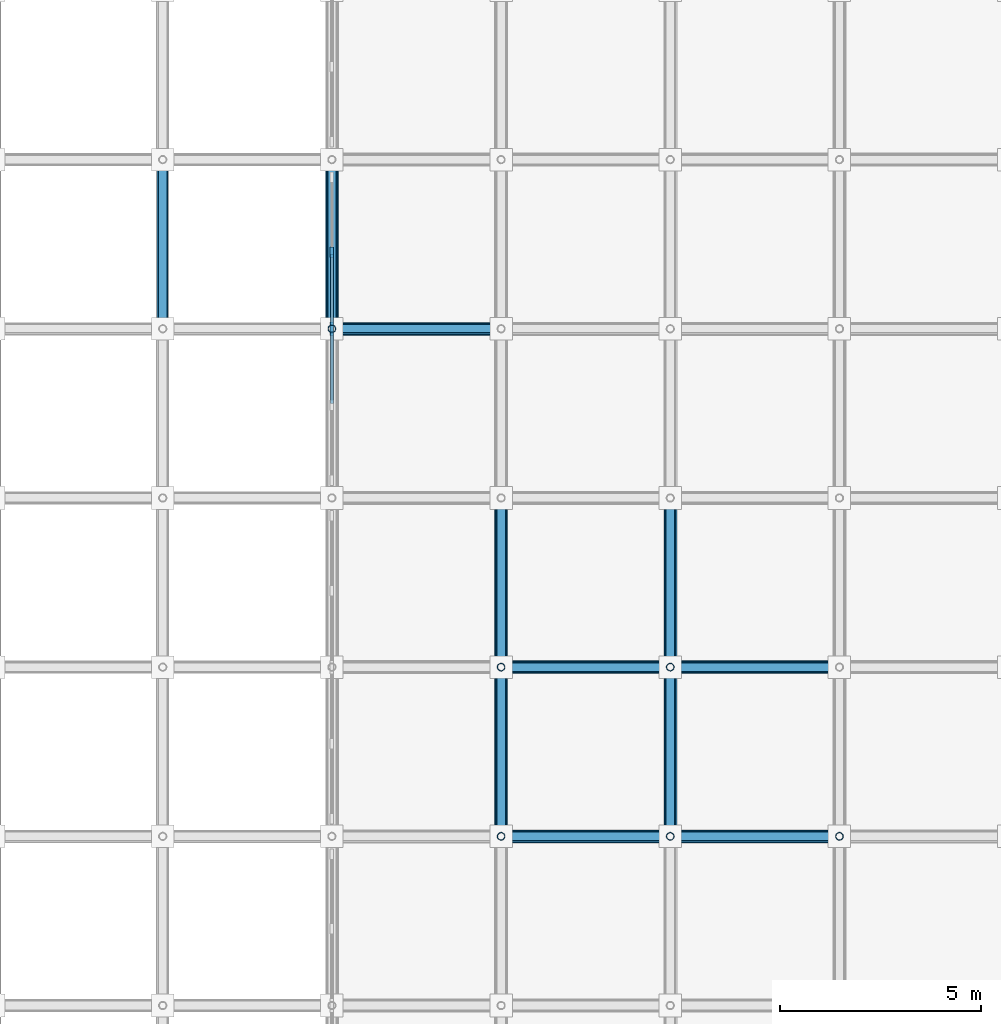
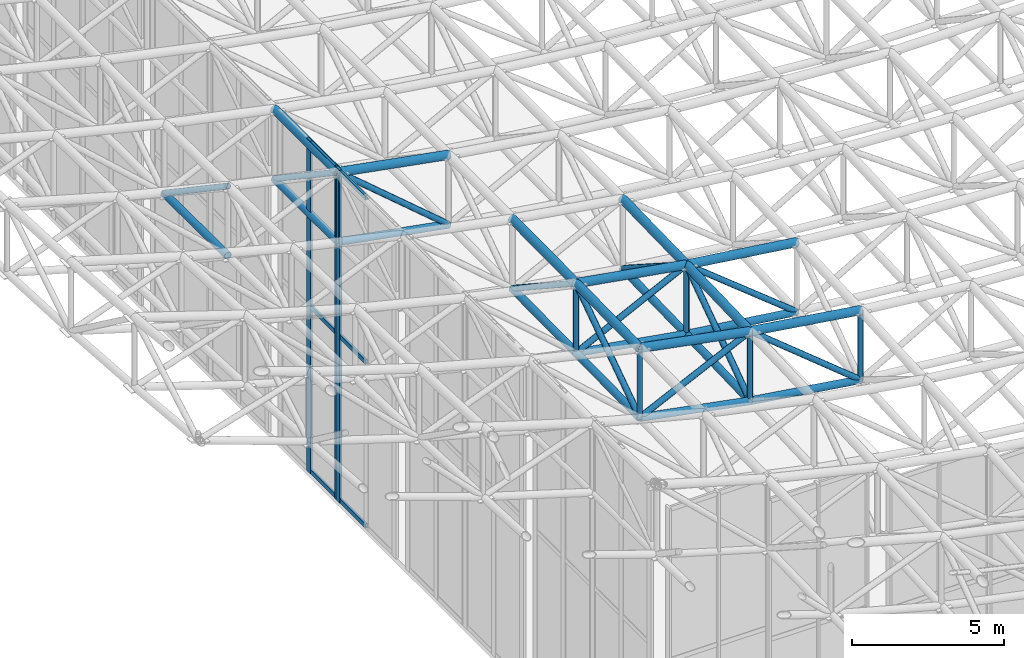
# One storey, part 10 of 93: 47 members, 2 elements without a shape of their own.
"""IFC4 building model written with IfcOpenShell, lengths in metres."""

import ifcopenshell
import ifcopenshell.guid

model = None  # the IFC model being written
_history = None  # IfcOwnerHistory: only IFC2X3 demands one
_inside = {}  # id of a spatial element -> (the spatial element, [elements in it])
_under = {}  # id of a project, library or spatial element -> (it, [spatial elements below it])
_declared = {}  # id of a project -> (the project, [libraries it declares])
_typed = {}  # id of a type object -> (the type object, [elements of that type])
_made_of = {}  # id of a material, layer set ... -> (it, [elements and type objects made of it])


def new_model(schema):
    """Start an empty IFC model of exactly this schema.

    Asked for "IFC4X3", IfcOpenShell would pick the latest addendum, in which some entities
    have other attributes; the version numbers below select the first issue.
    IFC2X3 requires an IfcOwnerHistory on every rooted entity: one is made here for all.
    """
    global model, _history
    if schema == "IFC4X3":
        model = ifcopenshell.file(schema_version=(4, 3, 0, 0))
    else:
        model = ifcopenshell.file(schema=schema)
    _inside.clear()
    _under.clear()
    _declared.clear()
    _typed.clear()
    _made_of.clear()
    _history = None
    if model.schema == "IFC2X3":
        org = make("IfcOrganization", Name="unknown")
        user = make(
            "IfcPersonAndOrganization",
            ThePerson=make("IfcPerson", FamilyName="unknown"),
            TheOrganization=org,
        )
        app = make(
            "IfcApplication",
            ApplicationDeveloper=org,
            Version="unknown",
            ApplicationFullName="unknown",
            ApplicationIdentifier="unknown",
        )
        _history = make(
            "IfcOwnerHistory",
            OwningUser=user,
            OwningApplication=app,
            ChangeAction="ADDED",
            CreationDate=0,
        )
    return model


def make(cls, **values):
    """One entity of the class cls with the attributes given. An attribute that is None is left unset."""
    return model.create_entity(
        cls, **{name: value for name, value in values.items() if value is not None}
    )


def rooted(cls, **values):
    """An entity with a GlobalId (a new one), such as an element, a storey or a relation."""
    return make(cls, GlobalId=ifcopenshell.guid.new(), OwnerHistory=_history, **values)


def si_unit(unit_type, name, prefix=None):
    """IfcSIUnit, for example si_unit("LENGTHUNIT", "METRE", prefix="MILLI")."""
    return make("IfcSIUnit", UnitType=unit_type, Prefix=prefix, Name=name)


def assignment(units):
    """IfcUnitAssignment: the units of a project."""
    return None if units is None else make("IfcUnitAssignment", Units=units)


def point(xyz):
    """IfcCartesianPoint."""
    return None if xyz is None else make("IfcCartesianPoint", Coordinates=xyz)


def direction(xyz):
    """IfcDirection."""
    return None if xyz is None else make("IfcDirection", DirectionRatios=xyz)


def frame(location, z_axis=None, x_axis=None):
    """IfcAxis2Placement3D, a coordinate frame: its origin and axes. An axis left out is left unset."""
    return make(
        "IfcAxis2Placement3D",
        Location=point(location),
        Axis=direction(z_axis),
        RefDirection=direction(x_axis),
    )


def frame_2d(location, x_axis=None):
    """IfcAxis2Placement2D, a coordinate frame in the plane: its origin and x axis."""
    return make(
        "IfcAxis2Placement2D", Location=point(location), RefDirection=direction(x_axis)
    )


def origin():
    """The frame at (0, 0, 0) with its axes left unset."""
    return frame((0.0, 0.0, 0.0))


def origin_2d():
    """The frame at (0, 0) in the plane with its x axis left unset."""
    return frame_2d((0.0, 0.0))


def place(relative_to, where):
    """IfcLocalPlacement: puts the frame where relative to a parent placement (None: the world)."""
    return make(
        "IfcLocalPlacement", PlacementRelTo=relative_to, RelativePlacement=where
    )


def context(
    kind, dimensions, precision=None, world=None, true_north=None, identifier=None
):
    """IfcGeometricRepresentationContext, for example the 3D "Model" context."""
    return make(
        "IfcGeometricRepresentationContext",
        ContextIdentifier=identifier,
        ContextType=kind,
        CoordinateSpaceDimension=dimensions,
        Precision=precision,
        WorldCoordinateSystem=world,
        TrueNorth=true_north,
    )


def subcontext(parent, identifier, kind, view, scale=None):
    """IfcGeometricRepresentationSubContext, for example "Body" below "Model"."""
    return make(
        "IfcGeometricRepresentationSubContext",
        ContextIdentifier=identifier,
        ContextType=kind,
        ParentContext=parent,
        TargetScale=scale,
        TargetView=view,
    )


def project(units=None, contexts=None):
    """IfcProject with its units and contexts."""
    return rooted(
        "IfcProject",
        Name="project",
        RepresentationContexts=contexts,
        UnitsInContext=assignment(units),
    )


def spatial(cls, under=None, at=None, **own):
    """A site, building, storey or space (cls), placed at a placement, below another one or the project."""
    s = rooted(cls, ObjectPlacement=at, **own)
    if under is not None:
        _under.setdefault(under.id(), (under, []))[1].append(s)
    return s


def profile(cls, at=None, kind="AREA", **sizes):
    """A parametric profile (cls). Its sizes go by their IFC names, for example OverallWidth=200.0."""
    return make(cls, ProfileType=kind, Position=at, **sizes)


def rectangle(**sizes):
    """IfcRectangleProfileDef."""
    return profile("IfcRectangleProfileDef", **sizes)


def hollow_circle(**sizes):
    """IfcCircleHollowProfileDef."""
    return profile("IfcCircleHollowProfileDef", **sizes)


def extrude(swept, where, along, depth):
    """IfcExtrudedAreaSolid: the profile swept, set in the frame where, extruded along a direction by depth."""
    return make(
        "IfcExtrudedAreaSolid",
        SweptArea=swept,
        Position=where,
        ExtrudedDirection=direction(along),
        Depth=depth,
    )


def shape(context_of_items, identifier, shape_type, items):
    """IfcShapeRepresentation: the items that make up one representation, for example the "Body"."""
    return make(
        "IfcShapeRepresentation",
        ContextOfItems=context_of_items,
        RepresentationIdentifier=identifier,
        RepresentationType=shape_type,
        Items=items,
    )


def material(Name=None, Category=None):
    """IfcMaterial."""
    return make("IfcMaterial", Name=Name, Category=Category)


def material_profile(
    of_material, cross_section, Name=None, Category=None, Priority=None
):
    """IfcMaterialProfile: a cross section and its material."""
    return make(
        "IfcMaterialProfile",
        Name=Name,
        Material=of_material,
        Profile=cross_section,
        Priority=Priority,
        Category=Category,
    )


def profile_set(profiles, Name=None, composite=None):
    """IfcMaterialProfileSet."""
    return make(
        "IfcMaterialProfileSet",
        Name=Name,
        MaterialProfiles=profiles,
        CompositeProfile=composite,
    )


def made_of(thing, what):
    """Note that an element or type object is made of a material, layer set ...; save() writes the relation."""
    if what is not None:
        _made_of.setdefault(what.id(), (what, []))[1].append(thing)
    return thing


def type_object(cls, material=None, **own):
    """A type object (cls), such as IfcWallType, which elements share."""
    return made_of(rooted(cls, **own), material)


def element(
    cls,
    number,
    at=None,
    inside=None,
    cuts=None,
    type_object=None,
    material=None,
    context=None,
    identifier="Body",
    shape_type=None,
    held_by="IfcProductDefinitionShape",
    body=None,
    shapes=None,
    **own,
):
    """One element of the class cls, such as IfcWall. Its Tag is "e" and its number.

    at: its placement. inside: the storey or other place that contains it. cuts: it is an
    opening in that element (IfcRelVoidsElement). A single representation is given by context,
    identifier, shape_type and body (its items); several are given by shapes. held_by: the class
    of the entity that holds the representations. save() writes the other relations.
    """
    e = rooted(cls, Tag="e%d" % number, ObjectPlacement=at, **own)
    if body is not None:
        shapes = [shape(context, identifier, shape_type, body)]
    if shapes is not None:
        e.Representation = make(held_by, Representations=shapes)
    if inside is not None:
        _inside.setdefault(inside.id(), (inside, []))[1].append(e)
    if cuts is not None:
        rooted(
            "IfcRelVoidsElement", RelatingBuildingElement=cuts, RelatedOpeningElement=e
        )
    if type_object is not None:
        _typed.setdefault(type_object.id(), (type_object, []))[1].append(e)
    return made_of(e, material)


def aggregate(whole, parts):
    """IfcRelAggregates: a whole, such as a stair, and the parts it consists of."""
    return rooted("IfcRelAggregates", RelatingObject=whole, RelatedObjects=parts)


def save(model, path):
    """Write the relations noted so far, then the file.

    IfcRelAggregates (storeys below a building ...), IfcRelContainedInSpatialStructure (elements
    in a storey), IfcRelDefinesByType, IfcRelAssociatesMaterial and IfcRelDeclares: one each for
    every whole, place, type object, material and project.
    """
    for whole, parts in _under.values():
        aggregate(whole, parts)
    for where, things in _inside.values():
        rooted(
            "IfcRelContainedInSpatialStructure",
            RelatedElements=things,
            RelatingStructure=where,
        )
    for kind, things in _typed.values():
        rooted("IfcRelDefinesByType", RelatedObjects=things, RelatingType=kind)
    for what, things in _made_of.values():
        rooted("IfcRelAssociatesMaterial", RelatedObjects=things, RelatingMaterial=what)
    for by, libraries in _declared.values():
        rooted("IfcRelDeclares", RelatingContext=by, RelatedDefinitions=libraries)
    model.write(path)


model = new_model("IFC4")

# Units and contexts
model_context = context("Model", 3, precision=1e-05, world=origin(), true_north=direction((0.0, 1.0)))
body_context = subcontext(model_context, "Body", "Model", "MODEL_VIEW")
ifc_project = project(units=[si_unit("LENGTHUNIT", "METRE"), si_unit("AREAUNIT", "SQUARE_METRE"), si_unit("VOLUMEUNIT", "CUBIC_METRE"), si_unit("PLANEANGLEUNIT", "RADIAN"), si_unit("MASSUNIT", "GRAM", prefix="KILO")], contexts=[model_context])

# Site, building, storey
site_placement = place(None, origin())
site = spatial("IfcSite", under=ifc_project, at=site_placement, CompositionType="ELEMENT")
building_placement = place(site_placement, origin())
building = spatial("IfcBuilding", under=site, at=building_placement, Name="Cumbredor Promenade Congress Hotel", CompositionType="ELEMENT")
storey_placement = place(building_placement, frame((0.0, 0.0, 21.840087890625)))
storey = spatial("IfcBuildingStorey", under=building, at=storey_placement, Name="L06", CompositionType="ELEMENT", Elevation=21.840087890625)

# Curtain wall, member
ifc_material_1 = material(Name="Thermally broken anodized aluminium and low-E glass", Category="aluminium")
curtain_wall_type = type_object("IfcCurtainWallType", Name="Stepped Pavilion Clerestory Curtain Wall CW-06", PredefinedType="NOTDEFINED", material=ifc_material_1)
curtain_wall_1_placement = place(storey_placement, origin())
curtain_wall_1 = element("IfcCurtainWall", 1, at=curtain_wall_1_placement, inside=storey, type_object=curtain_wall_type, Name="Plenary Congress Hall W Glazed Clerestory 5", PredefinedType="NOTDEFINED")
ifc_material_2 = material(Name="Thermally broken anodized aluminium", Category="aluminium")
ifc_material_profile_1 = material_profile(ifc_material_2, rectangle(XDim=0.0849609375, YDim=0.260009765625, at=origin_2d()), Name="ALU MULLION CLERESTORY 85x260")
ifc_profile_set_1 = profile_set([ifc_material_profile_1], Name="Thermally broken anodized aluminium")
member_type_1 = type_object("IfcMemberType", Name="Curtain Wall Mullion ML-04", PredefinedType="MULLION", material=ifc_profile_set_1)
member_1_placement = place(storey_placement, frame((8.39990234375, 29.360107421875, -0.01806640625), z_axis=(0.0, 0.0, 1.0), x_axis=(1.0, 0.0, 0.0)))
member_1 = element("IfcMember", 2, at=member_1_placement, type_object=member_type_1, Name="Plenary Congress Hall W Glazed Clerestory 5 Mullion 3", PredefinedType="MULLION", context=body_context, shape_type="SweptSolid", body=[
    extrude(rectangle(XDim=0.0849609375, YDim=0.260009765625, at=origin_2d()), origin(), (0.0, 0.0, 1.0), 13.3935546875),
])

# Curtain wall, members
curtain_wall_2_placement = place(storey_placement, origin())
curtain_wall_2 = element("IfcCurtainWall", 3, at=curtain_wall_2_placement, inside=storey, type_object=curtain_wall_type, Name="Plenary Congress Hall W Glazed Clerestory 6", PredefinedType="NOTDEFINED")
member_2_placement = place(storey_placement, frame((8.39990234375, 29.43994140625, -0.01806640625), z_axis=(0.0, 0.0, 1.0), x_axis=(1.0, 0.0, 0.0)))
member_2 = element("IfcMember", 4, at=member_2_placement, type_object=member_type_1, Name="Plenary Congress Hall W Glazed Clerestory 6 Mullion 1", PredefinedType="MULLION", context=body_context, shape_type="SweptSolid", body=[
    extrude(rectangle(XDim=0.0849609375, YDim=0.260009765625, at=origin_2d()), origin(), (0.0, 0.0, 1.0), 13.3857421875),
])
member_3_placement = place(storey_placement, frame((8.39990234375, 31.300048828125, -0.01806640625), z_axis=(0.0, 0.0, 1.0), x_axis=(1.0, 0.0, 0.0)))
member_3 = element("IfcMember", 5, at=member_3_placement, type_object=member_type_1, Name="Plenary Congress Hall W Glazed Clerestory 6 Mullion 2", PredefinedType="MULLION", context=body_context, shape_type="SweptSolid", body=[
    extrude(rectangle(XDim=0.0849609375, YDim=0.260009765625, at=origin_2d()), origin(), (0.0, 0.0, 1.0), 13.3857421875),
])

# Member
ifc_material_profile_2 = material_profile(ifc_material_2, rectangle(XDim=0.080078125, YDim=0.179931640625, at=origin_2d()), Name="ALU TRANSOM 80x180")
ifc_profile_set_2 = profile_set([ifc_material_profile_2], Name="Thermally broken anodized aluminium")
member_type_2 = type_object("IfcMemberType", Name="Curtain Wall Transom TR-03", PredefinedType="USERDEFINED", material=ifc_profile_set_2)
member_4_placement = place(storey_placement, frame((8.39990234375, 27.54248046875, 0.079833984375), z_axis=(0.0, 1.0, 0.0), x_axis=(-1.0, 0.0, 0.0)))
member_4 = element("IfcMember", 6, at=member_4_placement, type_object=member_type_2, Name="Plenary Congress Hall W Glazed Clerestory 5 Transom 2.1", ObjectType="TRANSOM", PredefinedType="USERDEFINED", context=body_context, shape_type="SweptSolid", body=[
    extrude(rectangle(XDim=0.080078125, YDim=0.179931640625, at=origin_2d()), origin(), (0.0, 0.0, 1.0), 1.77490234375),
])

member_5_placement = place(storey_placement, frame((8.39990234375, 27.54248046875, 6.679931640625), z_axis=(0.0, 1.0, 0.0), x_axis=(-1.0, 0.0, 0.0)))
member_5 = element("IfcMember", 7, at=member_5_placement, type_object=member_type_2, Name="Plenary Congress Hall W Glazed Clerestory 5 Transom 2.2", ObjectType="TRANSOM", PredefinedType="USERDEFINED", context=body_context, shape_type="SweptSolid", body=[
    extrude(rectangle(XDim=0.080078125, YDim=0.179931640625, at=origin_2d()), origin(), (0.0, 0.0, 1.0), 1.77490234375),
])

member_6_placement = place(storey_placement, frame((8.39990234375, 27.54248046875, 13.280029296875), z_axis=(0.0, 1.0, 0.0), x_axis=(-1.0, 0.0, 0.0)))
member_6 = element("IfcMember", 8, at=member_6_placement, type_object=member_type_2, Name="Plenary Congress Hall W Glazed Clerestory 5 Transom 2.3", ObjectType="TRANSOM", PredefinedType="USERDEFINED", context=body_context, shape_type="SweptSolid", body=[
    extrude(rectangle(XDim=0.080078125, YDim=0.179931640625, at=origin_2d()), origin(), (0.0, 0.0, 1.0), 1.77490234375),
])

aggregate(curtain_wall_1, [member_1, member_4, member_5, member_6])

member_7_placement = place(storey_placement, frame((8.39990234375, 29.482421875, 0.079833984375), z_axis=(0.0, 1.0, 0.0), x_axis=(-1.0, 0.0, 0.0)))
member_7 = element("IfcMember", 9, at=member_7_placement, type_object=member_type_2, Name="Plenary Congress Hall W Glazed Clerestory 6 Transom 1.1", ObjectType="TRANSOM", PredefinedType="USERDEFINED", context=body_context, shape_type="SweptSolid", body=[
    extrude(rectangle(XDim=0.080078125, YDim=0.179931640625, at=origin_2d()), origin(), (0.0, 0.0, 1.0), 1.775146484375),
])

member_8_placement = place(storey_placement, frame((8.39990234375, 29.482421875, 6.679931640625), z_axis=(0.0, 1.0, 0.0), x_axis=(-1.0, 0.0, 0.0)))
member_8 = element("IfcMember", 10, at=member_8_placement, type_object=member_type_2, Name="Plenary Congress Hall W Glazed Clerestory 6 Transom 1.2", ObjectType="TRANSOM", PredefinedType="USERDEFINED", context=body_context, shape_type="SweptSolid", body=[
    extrude(rectangle(XDim=0.080078125, YDim=0.179931640625, at=origin_2d()), origin(), (0.0, 0.0, 1.0), 1.775146484375),
])

member_9_placement = place(storey_placement, frame((8.39990234375, 29.482421875, 13.27001953125), z_axis=(0.0, 1.0, 0.0), x_axis=(-1.0, 0.0, 0.0)))
member_9 = element("IfcMember", 11, at=member_9_placement, type_object=member_type_2, Name="Plenary Congress Hall W Glazed Clerestory 6 Transom 1.3", ObjectType="TRANSOM", PredefinedType="USERDEFINED", context=body_context, shape_type="SweptSolid", body=[
    extrude(rectangle(XDim=0.080078125, YDim=0.179931640625, at=origin_2d()), origin(), (0.0, 0.0, 1.0), 1.775146484375),
])

aggregate(curtain_wall_2, [member_2, member_3, member_7, member_8, member_9])

# Members
ifc_material_3 = material(Name="Steel ASTM A500 Grade C", Category="steel")
ifc_material_profile_3 = material_profile(ifc_material_3, hollow_circle(Radius=0.136474609375, WallThickness=0.01611328125, at=origin_2d()), Name="CHS 273.0x16")
ifc_profile_set_3 = profile_set([ifc_material_profile_3], Name="Steel ASTM A500 Grade C")
member_type_3 = type_object("IfcMemberType", Name="Plenary Roof Space Frame Bottom Chord", PredefinedType="CHORD", material=ifc_profile_set_3)
member_10_placement = place(storey_placement, frame((12.60009765625, 16.800048828125, 9.484130859375), z_axis=(0.98239899526, 0.0, -0.186794577312), x_axis=(0.0, 1.0, 0.0)))
element("IfcMember", 12, at=member_10_placement, inside=storey, type_object=member_type_3, Name="Plenary Congress Hall X Bottom Chord 5.5", PredefinedType="CHORD", context=body_context, shape_type="SweptSolid", body=[
    extrude(hollow_circle(Radius=0.136474609375, WallThickness=0.01611328125, at=origin_2d()), origin(), (0.0, 0.0, 1.0), 4.275146484375),
])
member_11_placement = place(storey_placement, frame((16.800048828125, 16.800048828125, 8.685546875), z_axis=(0.989250033401, 0.0, -0.146233961224), x_axis=(0.0, 1.0, 0.0)))
element("IfcMember", 13, at=member_11_placement, inside=storey, type_object=member_type_3, Name="Plenary Congress Hall X Bottom Chord 6.5", PredefinedType="CHORD", context=body_context, shape_type="SweptSolid", body=[
    extrude(hollow_circle(Radius=0.136474609375, WallThickness=0.01611328125, at=origin_2d()), origin(), (0.0, 0.0, 1.0), 4.24560546875),
])
member_12_placement = place(storey_placement, frame((12.60009765625, 21.0, 9.54296875), z_axis=(0.98547003637, 0.0, -0.169849366845), x_axis=(0.0, 1.0, 0.0)))
element("IfcMember", 14, at=member_12_placement, inside=storey, type_object=member_type_3, Name="Plenary Congress Hall X Bottom Chord 5.6", PredefinedType="CHORD", context=body_context, shape_type="SweptSolid", body=[
    extrude(hollow_circle(Radius=0.136474609375, WallThickness=0.01611328125, at=origin_2d()), origin(), (0.0, 0.0, 1.0), 4.261962890625),
])
member_13_placement = place(storey_placement, frame((16.800048828125, 21.0, 8.819091796875), z_axis=(0.991135072385, 0.0, -0.132858075738), x_axis=(0.0, 1.0, 0.0)))
element("IfcMember", 15, at=member_13_placement, inside=storey, type_object=member_type_3, Name="Plenary Congress Hall X Bottom Chord 6.6", PredefinedType="CHORD", context=body_context, shape_type="SweptSolid", body=[
    extrude(hollow_circle(Radius=0.136474609375, WallThickness=0.01611328125, at=origin_2d()), origin(), (0.0, 0.0, 1.0), 4.237548828125),
])
member_14_placement = place(storey_placement, frame((8.39990234375, 29.39990234375, 10.3876953125), z_axis=(0.983566647418, 0.0, -0.180545423887), x_axis=(0.0, 1.0, 0.0)))
element("IfcMember", 16, at=member_14_placement, inside=storey, type_object=member_type_3, Name="Plenary Congress Hall X Bottom Chord 4.8", PredefinedType="CHORD", context=body_context, shape_type="SweptSolid", body=[
    extrude(hollow_circle(Radius=0.136474609375, WallThickness=0.01611328125, at=origin_2d()), origin(), (0.0, 0.0, 1.0), 4.270263671875),
])
member_15_placement = place(storey_placement, frame((4.199951171875, 29.39990234375, 11.298583984375), z_axis=(0.0, 0.999965456948, -0.008311733338), x_axis=(-1.0, 0.0, 0.0)))
element("IfcMember", 17, at=member_15_placement, inside=storey, type_object=member_type_3, Name="Plenary Congress Hall Y Bottom Chord 3.8", PredefinedType="CHORD", context=body_context, shape_type="SweptSolid", body=[
    extrude(hollow_circle(Radius=0.136474609375, WallThickness=0.01611328125, at=origin_2d()), origin(), (0.0, 0.0, 1.0), 4.200439453125),
])
member_16_placement = place(storey_placement, frame((8.39990234375, 29.39990234375, 10.3876953125), z_axis=(0.0, 0.999998160339, -0.001918155039), x_axis=(-1.0, 0.0, 0.0)))
element("IfcMember", 18, at=member_16_placement, inside=storey, type_object=member_type_3, Name="Plenary Congress Hall Y Bottom Chord 4.8", PredefinedType="CHORD", context=body_context, shape_type="SweptSolid", body=[
    extrude(hollow_circle(Radius=0.136474609375, WallThickness=0.01611328125, at=origin_2d()), origin(), (0.0, 0.0, 1.0), 4.2001953125),
])
member_17_placement = place(storey_placement, frame((12.60009765625, 16.800048828125, 9.484130859375), z_axis=(0.0, 0.999901885817, 0.014007809945), x_axis=(-1.0, 0.0, 0.0)))
element("IfcMember", 19, at=member_17_placement, inside=storey, type_object=member_type_3, Name="Plenary Congress Hall Y Bottom Chord 5.5", PredefinedType="CHORD", context=body_context, shape_type="SweptSolid", body=[
    extrude(hollow_circle(Radius=0.136474609375, WallThickness=0.01611328125, at=origin_2d()), origin(), (0.0, 0.0, 1.0), 4.200439453125),
])
member_18_placement = place(storey_placement, frame((12.60009765625, 21.0, 9.54296875), z_axis=(0.0, 0.999944041257, 0.01057895806), x_axis=(-1.0, 0.0, 0.0)))
element("IfcMember", 20, at=member_18_placement, inside=storey, type_object=member_type_3, Name="Plenary Congress Hall Y Bottom Chord 5.6", PredefinedType="CHORD", context=body_context, shape_type="SweptSolid", body=[
    extrude(hollow_circle(Radius=0.136474609375, WallThickness=0.01611328125, at=origin_2d()), origin(), (0.0, 0.0, 1.0), 4.2001953125),
])
member_19_placement = place(storey_placement, frame((16.800048828125, 16.800048828125, 8.685546875), z_axis=(0.0, 0.999494865402, 0.031780717978), x_axis=(-1.0, 0.0, 0.0)))
element("IfcMember", 21, at=member_19_placement, inside=storey, type_object=member_type_3, Name="Plenary Congress Hall Y Bottom Chord 6.5", PredefinedType="CHORD", context=body_context, shape_type="SweptSolid", body=[
    extrude(hollow_circle(Radius=0.136474609375, WallThickness=0.01611328125, at=origin_2d()), origin(), (0.0, 0.0, 1.0), 4.2021484375),
])
member_20_placement = place(storey_placement, frame((16.800048828125, 21.0, 8.819091796875), z_axis=(0.0, 0.99971611374, 0.023826286498), x_axis=(-1.0, 0.0, 0.0)))
element("IfcMember", 22, at=member_20_placement, inside=storey, type_object=member_type_3, Name="Plenary Congress Hall Y Bottom Chord 6.6", PredefinedType="CHORD", context=body_context, shape_type="SweptSolid", body=[
    extrude(hollow_circle(Radius=0.136474609375, WallThickness=0.01611328125, at=origin_2d()), origin(), (0.0, 0.0, 1.0), 4.201171875),
])
ifc_material_profile_4 = material_profile(ifc_material_3, hollow_circle(Radius=0.161865234375, WallThickness=0.01611328125, at=origin_2d()), Name="CHS 323.9x16")
ifc_profile_set_4 = profile_set([ifc_material_profile_4], Name="Steel ASTM A500 Grade C")
member_type_4 = type_object("IfcMemberType", Name="Plenary Roof Space Frame Top Chord", PredefinedType="CHORD", material=ifc_profile_set_4)
member_21_placement = place(storey_placement, frame((12.60009765625, 16.800048828125, 12.2841796875), z_axis=(0.98239899526, 0.0, -0.186794577312), x_axis=(0.0, 1.0, 0.0)))
element("IfcMember", 23, at=member_21_placement, inside=storey, type_object=member_type_4, Name="Plenary Congress Hall X Top Chord 5.5", PredefinedType="CHORD", context=body_context, shape_type="SweptSolid", body=[
    extrude(hollow_circle(Radius=0.161865234375, WallThickness=0.01611328125, at=origin_2d()), origin(), (0.0, 0.0, 1.0), 4.275146484375),
])
member_22_placement = place(storey_placement, frame((16.800048828125, 16.800048828125, 11.485595703125), z_axis=(0.989241713157, 0.0, -0.146290235324), x_axis=(0.0, 1.0, 0.0)))
element("IfcMember", 24, at=member_22_placement, inside=storey, type_object=member_type_4, Name="Plenary Congress Hall X Top Chord 6.5", PredefinedType="CHORD", context=body_context, shape_type="SweptSolid", body=[
    extrude(hollow_circle(Radius=0.161865234375, WallThickness=0.01611328125, at=origin_2d()), origin(), (0.0, 0.0, 1.0), 4.24560546875),
])
member_23_placement = place(storey_placement, frame((12.60009765625, 21.0, 12.343017578125), z_axis=(0.98547003637, 0.0, -0.169849366845), x_axis=(0.0, 1.0, 0.0)))
element("IfcMember", 25, at=member_23_placement, inside=storey, type_object=member_type_4, Name="Plenary Congress Hall X Top Chord 5.6", PredefinedType="CHORD", context=body_context, shape_type="SweptSolid", body=[
    extrude(hollow_circle(Radius=0.161865234375, WallThickness=0.01611328125, at=origin_2d()), origin(), (0.0, 0.0, 1.0), 4.261962890625),
])
member_24_placement = place(storey_placement, frame((16.800048828125, 21.0, 11.619140625), z_axis=(0.991127484187, 0.0, -0.13291467221), x_axis=(0.0, 1.0, 0.0)))
element("IfcMember", 26, at=member_24_placement, inside=storey, type_object=member_type_4, Name="Plenary Congress Hall X Top Chord 6.6", PredefinedType="CHORD", context=body_context, shape_type="SweptSolid", body=[
    extrude(hollow_circle(Radius=0.161865234375, WallThickness=0.01611328125, at=origin_2d()), origin(), (0.0, 0.0, 1.0), 4.237548828125),
])
member_25_placement = place(storey_placement, frame((8.39990234375, 29.39990234375, 13.1875), z_axis=(0.983566647418, 0.0, -0.180545423887), x_axis=(0.0, 1.0, 0.0)))
element("IfcMember", 27, at=member_25_placement, inside=storey, type_object=member_type_4, Name="Plenary Congress Hall X Top Chord 4.8", PredefinedType="CHORD", context=body_context, shape_type="SweptSolid", body=[
    extrude(hollow_circle(Radius=0.161865234375, WallThickness=0.01611328125, at=origin_2d()), origin(), (0.0, 0.0, 1.0), 4.270263671875),
])
member_26_placement = place(storey_placement, frame((8.39990234375, 29.39990234375, 13.1875), z_axis=(0.0, 0.999998270144, -0.001860029333), x_axis=(-1.0, 0.0, 0.0)))
element("IfcMember", 28, at=member_26_placement, inside=storey, type_object=member_type_4, Name="Plenary Congress Hall Y Top Chord 4.8", PredefinedType="CHORD", context=body_context, shape_type="SweptSolid", body=[
    extrude(hollow_circle(Radius=0.161865234375, WallThickness=0.01611328125, at=origin_2d()), origin(), (0.0, 0.0, 1.0), 4.2001953125),
])
member_27_placement = place(storey_placement, frame((12.60009765625, 16.800048828125, 12.2841796875), z_axis=(0.0, 0.999901885817, 0.014007809945), x_axis=(-1.0, 0.0, 0.0)))
element("IfcMember", 29, at=member_27_placement, inside=storey, type_object=member_type_4, Name="Plenary Congress Hall Y Top Chord 5.5", PredefinedType="CHORD", context=body_context, shape_type="SweptSolid", body=[
    extrude(hollow_circle(Radius=0.161865234375, WallThickness=0.01611328125, at=origin_2d()), origin(), (0.0, 0.0, 1.0), 4.200439453125),
])
member_28_placement = place(storey_placement, frame((12.60009765625, 21.0, 12.343017578125), z_axis=(0.0, 0.999944654448, 0.010520838369), x_axis=(-1.0, 0.0, 0.0)))
element("IfcMember", 30, at=member_28_placement, inside=storey, type_object=member_type_4, Name="Plenary Congress Hall Y Top Chord 5.6", PredefinedType="CHORD", context=body_context, shape_type="SweptSolid", body=[
    extrude(hollow_circle(Radius=0.161865234375, WallThickness=0.01611328125, at=origin_2d()), origin(), (0.0, 0.0, 1.0), 4.2001953125),
])
member_29_placement = place(storey_placement, frame((16.800048828125, 16.800048828125, 11.485595703125), z_axis=(0.0, 0.999494865402, 0.031780717978), x_axis=(-1.0, 0.0, 0.0)))
element("IfcMember", 31, at=member_29_placement, inside=storey, type_object=member_type_4, Name="Plenary Congress Hall Y Top Chord 6.5", PredefinedType="CHORD", context=body_context, shape_type="SweptSolid", body=[
    extrude(hollow_circle(Radius=0.161865234375, WallThickness=0.01611328125, at=origin_2d()), origin(), (0.0, 0.0, 1.0), 4.2021484375),
])
member_30_placement = place(storey_placement, frame((16.800048828125, 21.0, 11.619140625), z_axis=(0.0, 0.999717496276, 0.023768206474), x_axis=(-1.0, 0.0, 0.0)))
element("IfcMember", 32, at=member_30_placement, inside=storey, type_object=member_type_4, Name="Plenary Congress Hall Y Top Chord 6.6", PredefinedType="CHORD", context=body_context, shape_type="SweptSolid", body=[
    extrude(hollow_circle(Radius=0.161865234375, WallThickness=0.01611328125, at=origin_2d()), origin(), (0.0, 0.0, 1.0), 4.201171875),
])
ifc_material_profile_5 = material_profile(ifc_material_3, hollow_circle(Radius=0.109619140625, WallThickness=0.012451171875, at=origin_2d()), Name="CHS 219.1x12.5")
ifc_profile_set_5 = profile_set([ifc_material_profile_5], Name="Steel ASTM A500 Grade C")
member_type_5 = type_object("IfcMemberType", Name="Space Frame Web Diagonal D1", PredefinedType="BRACE", material=ifc_profile_set_5)
member_31_placement = place(storey_placement, frame((12.60009765625, 16.800048828125, 9.484130859375), z_axis=(0.902736324685, 0.0, 0.430194291099), x_axis=(0.0, 1.0, 0.0)))
element("IfcMember", 33, at=member_31_placement, inside=storey, type_object=member_type_5, Name="Plenary Congress Hall X Web Diagonal 5.5", PredefinedType="BRACE", context=body_context, shape_type="SweptSolid", body=[
    extrude(hollow_circle(Radius=0.109619140625, WallThickness=0.012451171875, at=origin_2d()), origin(), (0.0, 0.0, 1.0), 4.652587890625),
])
member_32_placement = place(storey_placement, frame((16.800048828125, 16.800048828125, 11.485595703125), z_axis=(0.775351048957, 0.0, -0.631530482939), x_axis=(0.0, 1.0, 0.0)))
element("IfcMember", 34, at=member_32_placement, inside=storey, type_object=member_type_5, Name="Plenary Congress Hall X Web Diagonal 6.5", PredefinedType="BRACE", context=body_context, shape_type="SweptSolid", body=[
    extrude(hollow_circle(Radius=0.109619140625, WallThickness=0.012451171875, at=origin_2d()), origin(), (0.0, 0.0, 1.0), 5.416748046875),
])
member_33_placement = place(storey_placement, frame((12.60009765625, 21.0, 9.54296875), z_axis=(0.896450249851, 0.0, 0.443144389045), x_axis=(0.0, 1.0, 0.0)))
element("IfcMember", 35, at=member_33_placement, inside=storey, type_object=member_type_5, Name="Plenary Congress Hall X Web Diagonal 5.6", PredefinedType="BRACE", context=body_context, shape_type="SweptSolid", body=[
    extrude(hollow_circle(Radius=0.109619140625, WallThickness=0.012451171875, at=origin_2d()), origin(), (0.0, 0.0, 1.0), 4.68505859375),
])
member_34_placement = place(storey_placement, frame((16.800048828125, 21.0, 11.619140625), z_axis=(0.780589840053, 0.0, -0.625043599764), x_axis=(0.0, 1.0, 0.0)))
element("IfcMember", 36, at=member_34_placement, inside=storey, type_object=member_type_5, Name="Plenary Congress Hall X Web Diagonal 6.6", PredefinedType="BRACE", context=body_context, shape_type="SweptSolid", body=[
    extrude(hollow_circle(Radius=0.109619140625, WallThickness=0.012451171875, at=origin_2d()), origin(), (0.0, 0.0, 1.0), 5.38037109375),
])
member_35_placement = place(storey_placement, frame((8.39990234375, 29.39990234375, 13.1875), z_axis=(0.761882496086, 0.0, -0.647715263181), x_axis=(0.0, 1.0, 0.0)))
element("IfcMember", 37, at=member_35_placement, inside=storey, type_object=member_type_5, Name="Plenary Congress Hall X Web Diagonal 4.8", PredefinedType="BRACE", context=body_context, shape_type="SweptSolid", body=[
    extrude(hollow_circle(Radius=0.109619140625, WallThickness=0.012451171875, at=origin_2d()), origin(), (0.0, 0.0, 1.0), 5.512939453125),
])
member_36_placement = place(storey_placement, frame((4.199951171875, 29.39990234375, 14.0986328125), z_axis=(0.0, 0.828864312656, -0.559449686036), x_axis=(-1.0, 0.0, 0.0)))
element("IfcMember", 38, at=member_36_placement, inside=storey, type_object=member_type_5, Name="Plenary Congress Hall Y Web Diagonal 3.8", PredefinedType="BRACE", context=body_context, shape_type="SweptSolid", body=[
    extrude(hollow_circle(Radius=0.109619140625, WallThickness=0.012451171875, at=origin_2d()), origin(), (0.0, 0.0, 1.0), 5.0673828125),
])
member_37_placement = place(storey_placement, frame((8.39990234375, 29.39990234375, 13.1875), z_axis=(0.0, 0.83134336539, -0.55575912842), x_axis=(-1.0, 0.0, 0.0)))
element("IfcMember", 39, at=member_37_placement, inside=storey, type_object=member_type_5, Name="Plenary Congress Hall Y Web Diagonal 4.8", PredefinedType="BRACE", context=body_context, shape_type="SweptSolid", body=[
    extrude(hollow_circle(Radius=0.109619140625, WallThickness=0.012451171875, at=origin_2d()), origin(), (0.0, 0.0, 1.0), 5.05224609375),
])
member_38_placement = place(storey_placement, frame((12.60009765625, 16.800048828125, 9.484130859375), z_axis=(0.0, 0.826659171915, 0.562702953155), x_axis=(-1.0, 0.0, 0.0)))
element("IfcMember", 40, at=member_38_placement, inside=storey, type_object=member_type_5, Name="Plenary Congress Hall Y Web Diagonal 5.5", PredefinedType="BRACE", context=body_context, shape_type="SweptSolid", body=[
    extrude(hollow_circle(Radius=0.109619140625, WallThickness=0.012451171875, at=origin_2d()), origin(), (0.0, 0.0, 1.0), 5.08056640625),
])
member_39_placement = place(storey_placement, frame((12.60009765625, 21.0, 12.343017578125), z_axis=(0.0, 0.836102944844, -0.548572570973), x_axis=(-1.0, 0.0, 0.0)))
element("IfcMember", 41, at=member_39_placement, inside=storey, type_object=member_type_5, Name="Plenary Congress Hall Y Web Diagonal 5.6", PredefinedType="BRACE", context=body_context, shape_type="SweptSolid", body=[
    extrude(hollow_circle(Radius=0.109619140625, WallThickness=0.012451171875, at=origin_2d()), origin(), (0.0, 0.0, 1.0), 5.023193359375),
])
member_40_placement = place(storey_placement, frame((16.800048828125, 16.800048828125, 8.685546875), z_axis=(0.0, 0.819815833571, 0.572627277579), x_axis=(-1.0, 0.0, 0.0)))
element("IfcMember", 42, at=member_40_placement, inside=storey, type_object=member_type_5, Name="Plenary Congress Hall Y Web Diagonal 6.5", PredefinedType="BRACE", context=body_context, shape_type="SweptSolid", body=[
    extrude(hollow_circle(Radius=0.109619140625, WallThickness=0.012451171875, at=origin_2d()), origin(), (0.0, 0.0, 1.0), 5.123046875),
])
member_41_placement = place(storey_placement, frame((16.800048828125, 21.0, 11.619140625), z_axis=(0.0, 0.841180064094, -0.540755119968), x_axis=(-1.0, 0.0, 0.0)))
element("IfcMember", 43, at=member_41_placement, inside=storey, type_object=member_type_5, Name="Plenary Congress Hall Y Web Diagonal 6.6", PredefinedType="BRACE", context=body_context, shape_type="SweptSolid", body=[
    extrude(hollow_circle(Radius=0.109619140625, WallThickness=0.012451171875, at=origin_2d()), origin(), (0.0, 0.0, 1.0), 4.992919921875),
])
ifc_material_profile_6 = material_profile(ifc_material_3, hollow_circle(Radius=0.096923828125, WallThickness=0.010009765625, at=origin_2d()), Name="CHS 193.7x10")
ifc_profile_set_6 = profile_set([ifc_material_profile_6], Name="Steel ASTM A500 Grade C")
member_type_6 = type_object("IfcMemberType", Name="Space Frame Web Post P1", PredefinedType="BRACE", material=ifc_profile_set_6)
member_42_placement = place(storey_placement, frame((8.39990234375, 29.39990234375, 10.3876953125), z_axis=(0.0, 0.0, 1.0), x_axis=(1.0, 0.0, 0.0)))
element("IfcMember", 44, at=member_42_placement, inside=storey, type_object=member_type_6, Name="Plenary Congress Hall Space Frame Web Post 4.8", PredefinedType="BRACE", context=body_context, shape_type="SweptSolid", body=[
    extrude(hollow_circle(Radius=0.096923828125, WallThickness=0.010009765625, at=origin_2d()), origin(), (0.0, 0.0, 1.0), 2.7998046875),
])
for number, where, z_axis, x_axis, name in (
    (45, (12.60009765625, 16.800048828125, 9.484130859375), (0.0, 0.0, 1.0), (1.0, 0.0, 0.0), "Plenary Congress Hall Space Frame Web Post 5.5"),
    (46, (12.60009765625, 21.0, 9.54296875), (0.0, 0.0, 1.0), (1.0, 0.0, 0.0), "Plenary Congress Hall Space Frame Web Post 5.6"),
    (47, (16.800048828125, 16.800048828125, 8.685546875), (0.0, 0.0, 1.0), (1.0, 0.0, 0.0), "Plenary Congress Hall Space Frame Web Post 6.5"),
    (48, (16.800048828125, 21.0, 8.819091796875), (0.0, 0.0, 1.0), (1.0, 0.0, 0.0), "Plenary Congress Hall Space Frame Web Post 6.6"),
):
    element("IfcMember", number, at=place(storey_placement, frame(where, z_axis=z_axis, x_axis=x_axis)), inside=storey, type_object=member_type_6, Name=name, PredefinedType="BRACE", context=body_context, shape_type="SweptSolid", body=[
        extrude(hollow_circle(Radius=0.096923828125, WallThickness=0.010009765625, at=origin_2d()), origin(), (0.0, 0.0, 1.0), 2.800048828125),
    ])
member_43_placement = place(storey_placement, frame((21.0, 16.800048828125, 8.064697265625), z_axis=(0.0, 0.0, 1.0), x_axis=(1.0, 0.0, 0.0)))
element("IfcMember", 49, at=member_43_placement, inside=storey, type_object=member_type_6, Name="Plenary Congress Hall Space Frame Web Post 7.5", PredefinedType="BRACE", context=body_context, shape_type="SweptSolid", body=[
    extrude(hollow_circle(Radius=0.096923828125, WallThickness=0.010009765625, at=origin_2d()), origin(), (0.0, 0.0, 1.0), 2.7998046875),
])

save(model, "model.ifc")
